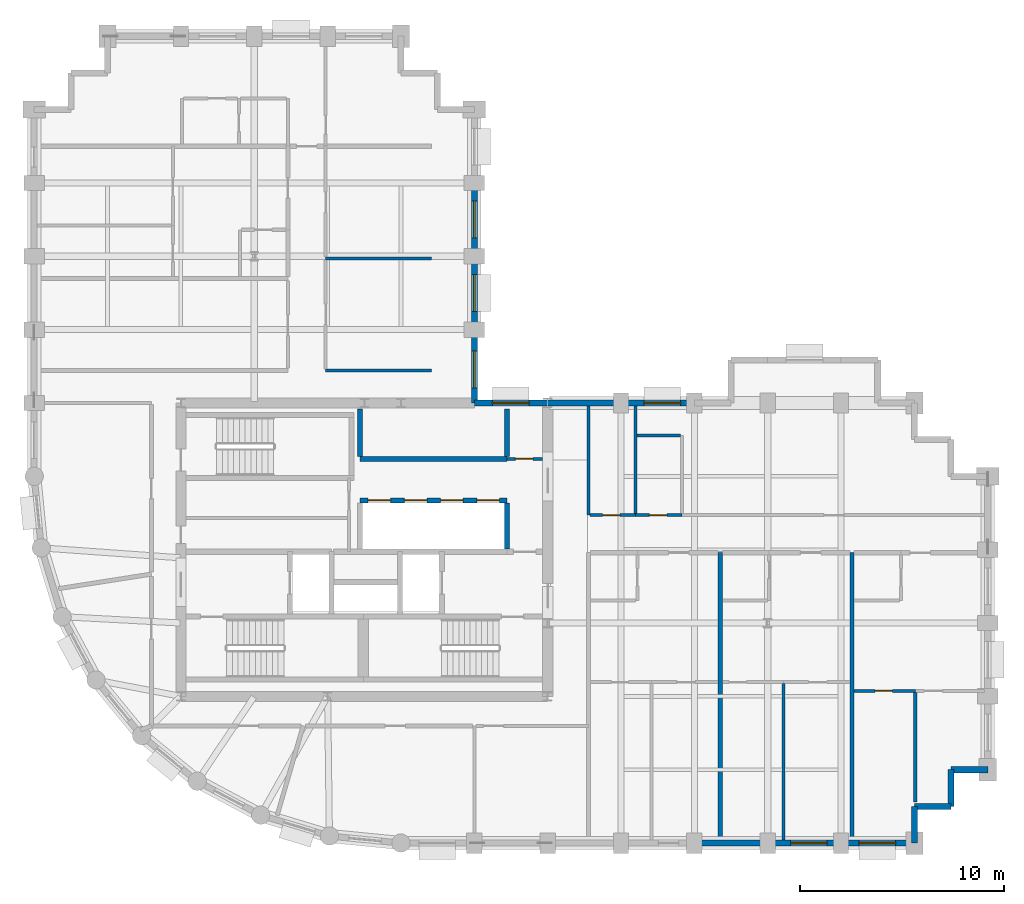
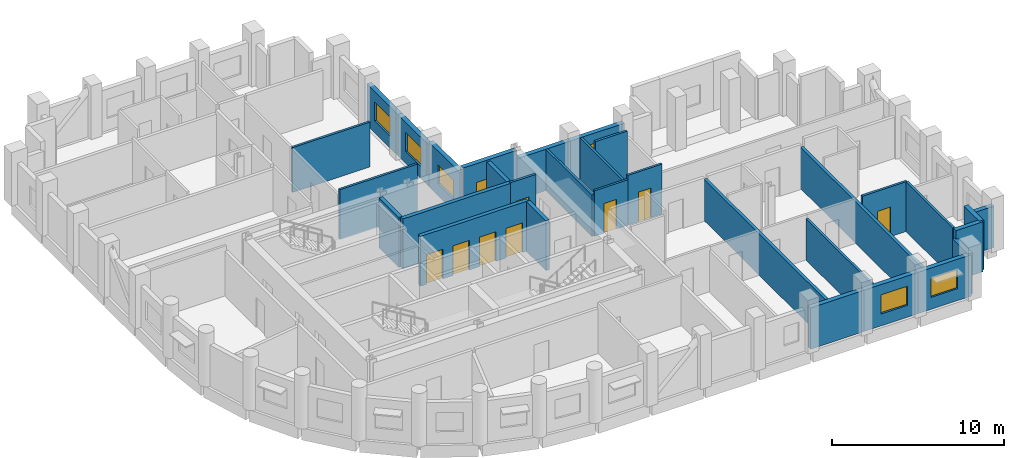
# One storey, part 5 of 9: 31 walls, 8 doors, 7 windows, 15 openings.
"""IFC4 building model written with IfcOpenShell, lengths in metres."""

import ifcopenshell
import ifcopenshell.guid

model = None  # the IFC model being written
_history = None  # IfcOwnerHistory: only IFC2X3 demands one
_inside = {}  # id of a spatial element -> (the spatial element, [elements in it])
_under = {}  # id of a project, library or spatial element -> (it, [spatial elements below it])
_declared = {}  # id of a project -> (the project, [libraries it declares])
_typed = {}  # id of a type object -> (the type object, [elements of that type])
_made_of = {}  # id of a material, layer set ... -> (it, [elements and type objects made of it])


def new_model(schema):
    """Start an empty IFC model of exactly this schema.

    Asked for "IFC4X3", IfcOpenShell would pick the latest addendum, in which some entities
    have other attributes; the version numbers below select the first issue.
    IFC2X3 requires an IfcOwnerHistory on every rooted entity: one is made here for all.
    """
    global model, _history
    if schema == "IFC4X3":
        model = ifcopenshell.file(schema_version=(4, 3, 0, 0))
    else:
        model = ifcopenshell.file(schema=schema)
    _inside.clear()
    _under.clear()
    _declared.clear()
    _typed.clear()
    _made_of.clear()
    _history = None
    if model.schema == "IFC2X3":
        org = make("IfcOrganization", Name="unknown")
        user = make(
            "IfcPersonAndOrganization",
            ThePerson=make("IfcPerson", FamilyName="unknown"),
            TheOrganization=org,
        )
        app = make(
            "IfcApplication",
            ApplicationDeveloper=org,
            Version="unknown",
            ApplicationFullName="unknown",
            ApplicationIdentifier="unknown",
        )
        _history = make(
            "IfcOwnerHistory",
            OwningUser=user,
            OwningApplication=app,
            ChangeAction="ADDED",
            CreationDate=0,
        )
    return model


def make(cls, **values):
    """One entity of the class cls with the attributes given. An attribute that is None is left unset."""
    return model.create_entity(
        cls, **{name: value for name, value in values.items() if value is not None}
    )


def rooted(cls, **values):
    """An entity with a GlobalId (a new one), such as an element, a storey or a relation."""
    return make(cls, GlobalId=ifcopenshell.guid.new(), OwnerHistory=_history, **values)


def si_unit(unit_type, name, prefix=None):
    """IfcSIUnit, for example si_unit("LENGTHUNIT", "METRE", prefix="MILLI")."""
    return make("IfcSIUnit", UnitType=unit_type, Prefix=prefix, Name=name)


def assignment(units):
    """IfcUnitAssignment: the units of a project."""
    return None if units is None else make("IfcUnitAssignment", Units=units)


def point(xyz):
    """IfcCartesianPoint."""
    return None if xyz is None else make("IfcCartesianPoint", Coordinates=xyz)


def direction(xyz):
    """IfcDirection."""
    return None if xyz is None else make("IfcDirection", DirectionRatios=xyz)


def frame(location, z_axis=None, x_axis=None):
    """IfcAxis2Placement3D, a coordinate frame: its origin and axes. An axis left out is left unset."""
    return make(
        "IfcAxis2Placement3D",
        Location=point(location),
        Axis=direction(z_axis),
        RefDirection=direction(x_axis),
    )


def frame_2d(location, x_axis=None):
    """IfcAxis2Placement2D, a coordinate frame in the plane: its origin and x axis."""
    return make(
        "IfcAxis2Placement2D", Location=point(location), RefDirection=direction(x_axis)
    )


def origin():
    """The frame at (0, 0, 0) with its axes left unset."""
    return frame((0.0, 0.0, 0.0))


def place(relative_to, where):
    """IfcLocalPlacement: puts the frame where relative to a parent placement (None: the world)."""
    return make(
        "IfcLocalPlacement", PlacementRelTo=relative_to, RelativePlacement=where
    )


def context(
    kind, dimensions, precision=None, world=None, true_north=None, identifier=None
):
    """IfcGeometricRepresentationContext, for example the 3D "Model" context."""
    return make(
        "IfcGeometricRepresentationContext",
        ContextIdentifier=identifier,
        ContextType=kind,
        CoordinateSpaceDimension=dimensions,
        Precision=precision,
        WorldCoordinateSystem=world,
        TrueNorth=true_north,
    )


def subcontext(parent, identifier, kind, view, scale=None):
    """IfcGeometricRepresentationSubContext, for example "Body" below "Model"."""
    return make(
        "IfcGeometricRepresentationSubContext",
        ContextIdentifier=identifier,
        ContextType=kind,
        ParentContext=parent,
        TargetScale=scale,
        TargetView=view,
    )


def project(units=None, contexts=None):
    """IfcProject with its units and contexts."""
    return rooted(
        "IfcProject",
        Name="project",
        RepresentationContexts=contexts,
        UnitsInContext=assignment(units),
    )


def spatial(cls, under=None, at=None, **own):
    """A site, building, storey or space (cls), placed at a placement, below another one or the project."""
    s = rooted(cls, ObjectPlacement=at, **own)
    if under is not None:
        _under.setdefault(under.id(), (under, []))[1].append(s)
    return s


def profile(cls, at=None, kind="AREA", **sizes):
    """A parametric profile (cls). Its sizes go by their IFC names, for example OverallWidth=200.0."""
    return make(cls, ProfileType=kind, Position=at, **sizes)


def rectangle(**sizes):
    """IfcRectangleProfileDef."""
    return profile("IfcRectangleProfileDef", **sizes)


def extrude(swept, where, along, depth):
    """IfcExtrudedAreaSolid: the profile swept, set in the frame where, extruded along a direction by depth."""
    return make(
        "IfcExtrudedAreaSolid",
        SweptArea=swept,
        Position=where,
        ExtrudedDirection=direction(along),
        Depth=depth,
    )


def shape(context_of_items, identifier, shape_type, items):
    """IfcShapeRepresentation: the items that make up one representation, for example the "Body"."""
    return make(
        "IfcShapeRepresentation",
        ContextOfItems=context_of_items,
        RepresentationIdentifier=identifier,
        RepresentationType=shape_type,
        Items=items,
    )


def material(Name=None, Category=None):
    """IfcMaterial."""
    return make("IfcMaterial", Name=Name, Category=Category)


def layer(
    of_material, thickness, ventilated=None, Name=None, Category=None, Priority=None
):
    """IfcMaterialLayer: one layer of a wall or slab, of a material (None: an air gap)."""
    return make(
        "IfcMaterialLayer",
        Material=of_material,
        LayerThickness=thickness,
        IsVentilated=ventilated,
        Name=Name,
        Category=Category,
        Priority=Priority,
    )


def layer_set(layers, Name=None):
    """IfcMaterialLayerSet."""
    return make("IfcMaterialLayerSet", MaterialLayers=layers, LayerSetName=Name)


def made_of(thing, what):
    """Note that an element or type object is made of a material, layer set ...; save() writes the relation."""
    if what is not None:
        _made_of.setdefault(what.id(), (what, []))[1].append(thing)
    return thing


def type_object(cls, material=None, **own):
    """A type object (cls), such as IfcWallType, which elements share."""
    return made_of(rooted(cls, **own), material)


def element(
    cls,
    number,
    at=None,
    inside=None,
    cuts=None,
    type_object=None,
    material=None,
    context=None,
    identifier="Body",
    shape_type=None,
    held_by="IfcProductDefinitionShape",
    body=None,
    shapes=None,
    **own,
):
    """One element of the class cls, such as IfcWall. Its Tag is "e" and its number.

    at: its placement. inside: the storey or other place that contains it. cuts: it is an
    opening in that element (IfcRelVoidsElement). A single representation is given by context,
    identifier, shape_type and body (its items); several are given by shapes. held_by: the class
    of the entity that holds the representations. save() writes the other relations.
    """
    e = rooted(cls, Tag="e%d" % number, ObjectPlacement=at, **own)
    if body is not None:
        shapes = [shape(context, identifier, shape_type, body)]
    if shapes is not None:
        e.Representation = make(held_by, Representations=shapes)
    if inside is not None:
        _inside.setdefault(inside.id(), (inside, []))[1].append(e)
    if cuts is not None:
        rooted(
            "IfcRelVoidsElement", RelatingBuildingElement=cuts, RelatedOpeningElement=e
        )
    if type_object is not None:
        _typed.setdefault(type_object.id(), (type_object, []))[1].append(e)
    return made_of(e, material)


def fill(opening, filler):
    """IfcRelFillsElement: the door or window that sits in an opening."""
    return rooted(
        "IfcRelFillsElement",
        RelatingOpeningElement=opening,
        RelatedBuildingElement=filler,
    )


def aggregate(whole, parts):
    """IfcRelAggregates: a whole, such as a stair, and the parts it consists of."""
    return rooted("IfcRelAggregates", RelatingObject=whole, RelatedObjects=parts)


def save(model, path):
    """Write the relations noted so far, then the file.

    IfcRelAggregates (storeys below a building ...), IfcRelContainedInSpatialStructure (elements
    in a storey), IfcRelDefinesByType, IfcRelAssociatesMaterial and IfcRelDeclares: one each for
    every whole, place, type object, material and project.
    """
    for whole, parts in _under.values():
        aggregate(whole, parts)
    for where, things in _inside.values():
        rooted(
            "IfcRelContainedInSpatialStructure",
            RelatedElements=things,
            RelatingStructure=where,
        )
    for kind, things in _typed.values():
        rooted("IfcRelDefinesByType", RelatedObjects=things, RelatingType=kind)
    for what, things in _made_of.values():
        rooted("IfcRelAssociatesMaterial", RelatedObjects=things, RelatingMaterial=what)
    for by, libraries in _declared.values():
        rooted("IfcRelDeclares", RelatingContext=by, RelatedDefinitions=libraries)
    model.write(path)


model = new_model("IFC4")

# Units and contexts
model_context = context("Model", 3, precision=1e-05, world=origin(), true_north=direction((0.0, 1.0)))
body_context = subcontext(model_context, "Body", "Model", "MODEL_VIEW")
ifc_project = project(units=[si_unit("LENGTHUNIT", "METRE"), si_unit("AREAUNIT", "SQUARE_METRE"), si_unit("VOLUMEUNIT", "CUBIC_METRE"), si_unit("PLANEANGLEUNIT", "RADIAN"), si_unit("MASSUNIT", "GRAM", prefix="KILO")], contexts=[model_context])

# Site, building, storey
site_placement = place(None, origin())
site = spatial("IfcSite", under=ifc_project, at=site_placement, CompositionType="ELEMENT")
building_placement = place(site_placement, origin())
building = spatial("IfcBuilding", under=site, at=building_placement, Name="Solnavia Interchange Tower", CompositionType="ELEMENT")
storey_placement = place(building_placement, frame((0.0, 0.0, 142.800048828125)))
storey = spatial("IfcBuildingStorey", under=building, at=storey_placement, Name="L35", CompositionType="ELEMENT", Elevation=142.800048828125)

# Walls
ifc_material_1 = material(Name="Gypsum Acoustic Twin-Stud & Mineral Wool", Category="gypsum")
ifc_layer_1 = layer(ifc_material_1, 0.199951171875)
ifc_layer_set_1 = layer_set([ifc_layer_1], Name="Gypsum Acoustic Twin-Stud & Mineral Wool")
wall_type_1 = type_object("IfcWallType", Name="Wall-ApartmentParty-200", PredefinedType="PARTITIONING", material=ifc_layer_set_1)
for number, where, z_axis, x_axis, name in (
    (1, (40.8701171875, 3.75390625, 0.0), (0.0, 0.0, 1.0), (0.0, 1.0, 0.0), "PTW-L35-18 Interior partition wall"),
    (2, (47.340087890625, 3.75390625, 0.0), (0.0, 0.0, 1.0), (0.0, 1.0, 0.0), "PTW-L35-26 Interior partition wall"),
):
    element("IfcWall", number, at=place(storey_placement, frame(where, z_axis=z_axis, x_axis=x_axis)), inside=storey, type_object=wall_type_1, Name=name, PredefinedType="PARTITIONING", context=body_context, shape_type="SweptSolid", body=[
        extrude(rectangle(XDim=14.09619140625, YDim=0.199951171875, at=frame_2d((7.048095703125, 0.0))), origin(), (0.0, 0.0, 1.0), 2.929931640625),
    ])
ifc_material_2 = material(Name="Concrete C40/50", Category="concrete")
ifc_layer_2 = layer(ifc_material_2, 0.300048828125)
ifc_layer_set_2 = layer_set([ifc_layer_2], Name="Concrete C40/50")
wall_type_2 = type_object("IfcWallType", Name="Wall-ExtSpandrel-300", PredefinedType="STANDARD", material=ifc_layer_set_2)
wall_1_placement = place(storey_placement, frame((43.199951171875, 3.60009765625, 0.0), z_axis=(0.0, 0.0, 1.0), x_axis=(-1.0, 0.0, 0.0)))
element("IfcWall", 3, at=wall_1_placement, inside=storey, type_object=wall_type_2, Name="EXW-L35-05 Exterior precast spandrel wall", PredefinedType="STANDARD", context=body_context, shape_type="SweptSolid", body=[
    extrude(rectangle(XDim=3.599853515625, YDim=0.300048828125, at=frame_2d((1.7998046875, 0.0))), origin(), (0.0, 0.0, 1.0), 2.929931640625),
])

# Wall, opening, window
wall_2_placement = place(storey_placement, frame((46.800048828125, 3.60009765625, 0.0), z_axis=(0.0, 0.0, 1.0), x_axis=(-1.0, 0.0, 0.0)))
wall_2 = element("IfcWall", 4, at=wall_2_placement, inside=storey, type_object=wall_type_2, Name="EXW-L35-06 Exterior precast spandrel wall", PredefinedType="STANDARD", context=body_context, shape_type="SweptSolid", body=[
    extrude(rectangle(XDim=3.60009765625, YDim=0.300048828125, at=frame_2d((1.800048828125, 0.0))), origin(), (0.0, 0.0, 1.0), 2.929931640625),
])
opening_1_placement = place(wall_2_placement, frame((0.679931640625, 0.0, 0.85009765625)))
opening_1 = element("IfcOpeningElement", 5, at=opening_1_placement, cuts=wall_2, Name="Opening WIN-02", PredefinedType="OPENING", context=body_context, shape_type="SweptSolid", body=[
    extrude(rectangle(XDim=1.800048828125, YDim=1.35009765625, at=frame_2d((0.89990234375, 0.675048828125))), frame((0.0, 0.16015625, 0.0), z_axis=(0.0, -1.0, 0.0), x_axis=(1.0, 0.0, 0.0)), (0.0, 0.0, 1.0), 0.320068359375),
])
ifc_material_3 = material(Name="Thermal-Break Aluminium & Low-E Glass", Category="aluminium")
window_type = type_object("IfcWindowType", Name="Window-Ribbon-1800x1350", PartitioningType="SINGLE_PANEL", PredefinedType="WINDOW", material=ifc_material_3)
window_1_placement = place(opening_1_placement, origin())
window_1 = element("IfcWindow", 6, at=window_1_placement, inside=storey, type_object=window_type, Name="WIN-L35-06 Facade ribbon window", OverallHeight=1.35009765625, OverallWidth=1.800048828125, PartitioningType="SINGLE_PANEL", PredefinedType="WINDOW", context=body_context, shape_type="SweptSolid", body=[
    extrude(rectangle(XDim=1.800048828125, YDim=1.35009765625, at=frame_2d((0.89990234375, 0.675048828125))), frame((0.0, 0.030029296875, 0.0), z_axis=(0.0, -1.0, 0.0), x_axis=(1.0, 0.0, 0.0)), (0.0, 0.0, 1.0), 0.06005859375),
])
fill(opening_1, window_1)

wall_3_placement = place(storey_placement, frame((50.39990234375, 3.60009765625, 0.0), z_axis=(0.0, 0.0, 1.0), x_axis=(-1.0, 0.0, 0.0)))
wall_3 = element("IfcWall", 7, at=wall_3_placement, inside=storey, type_object=wall_type_2, Name="EXW-L35-07 Exterior precast spandrel wall", PredefinedType="STANDARD", context=body_context, shape_type="SweptSolid", body=[
    extrude(rectangle(XDim=3.599853515625, YDim=0.300048828125, at=frame_2d((1.7998046875, 0.0))), origin(), (0.0, 0.0, 1.0), 2.929931640625),
])
opening_2_placement = place(wall_3_placement, frame((0.925048828125, 0.0, 0.85009765625)))
opening_2 = element("IfcOpeningElement", 8, at=opening_2_placement, cuts=wall_3, Name="Opening WIN-02", PredefinedType="OPENING", context=body_context, shape_type="SweptSolid", body=[
    extrude(rectangle(XDim=1.800048828125, YDim=1.35009765625, at=frame_2d((0.89990234375, 0.675048828125))), frame((0.0, 0.16015625, 0.0), z_axis=(0.0, -1.0, 0.0), x_axis=(1.0, 0.0, 0.0)), (0.0, 0.0, 1.0), 0.320068359375),
])
window_2_placement = place(opening_2_placement, origin())
window_2 = element("IfcWindow", 9, at=window_2_placement, inside=storey, type_object=window_type, Name="WIN-L35-07 Facade ribbon window", OverallHeight=1.35009765625, OverallWidth=1.800048828125, PartitioningType="SINGLE_PANEL", PredefinedType="WINDOW", context=body_context, shape_type="SweptSolid", body=[
    extrude(rectangle(XDim=1.800048828125, YDim=1.35009765625, at=frame_2d((0.89990234375, 0.675048828125))), frame((0.0, 0.030029296875, 0.0), z_axis=(0.0, -1.0, 0.0), x_axis=(1.0, 0.0, 0.0)), (0.0, 0.0, 1.0), 0.06005859375),
])
fill(opening_2, window_2)

# Walls
wall_4_placement = place(storey_placement, frame((50.39990234375, 5.39990234375, 0.0), z_axis=(0.0, 0.0, 1.0), x_axis=(0.0, -1.0, 0.0)))
element("IfcWall", 10, at=wall_4_placement, inside=storey, type_object=wall_type_2, Name="EXW-L35-08 Exterior precast spandrel wall", PredefinedType="STANDARD", context=body_context, shape_type="SweptSolid", body=[
    extrude(rectangle(XDim=1.7998046875, YDim=0.300048828125, at=frame_2d((0.89990234375, 0.0))), origin(), (0.0, 0.0, 1.0), 2.929931640625),
])
for number, where, z_axis, x_axis, name in (
    (11, (52.199951171875, 5.39990234375, 0.0), (0.0, 0.0, 1.0), (-1.0, 0.0, 0.0), "EXW-L35-09 Exterior precast spandrel wall"),
    (12, (52.199951171875, 7.199951171875, 0.0), (0.0, 0.0, 1.0), (0.0, -1.0, 0.0), "EXW-L35-10 Exterior precast spandrel wall"),
):
    element("IfcWall", number, at=place(storey_placement, frame(where, z_axis=z_axis, x_axis=x_axis)), inside=storey, type_object=wall_type_2, Name=name, PredefinedType="STANDARD", context=body_context, shape_type="SweptSolid", body=[
        extrude(rectangle(XDim=1.800048828125, YDim=0.300048828125, at=frame_2d((0.89990234375, 0.0))), origin(), (0.0, 0.0, 1.0), 3.534912109375),
    ])
wall_5_placement = place(storey_placement, frame((54.0, 7.199951171875, 0.0), z_axis=(0.0, 0.0, 1.0), x_axis=(-1.0, 0.0, 0.0)))
element("IfcWall", 13, at=wall_5_placement, inside=storey, type_object=wall_type_2, Name="EXW-L35-11 Exterior precast spandrel wall", PredefinedType="STANDARD", context=body_context, shape_type="SweptSolid", body=[
    extrude(rectangle(XDim=1.800048828125, YDim=0.300048828125, at=frame_2d((0.89990234375, 0.0))), origin(), (0.0, 0.0, 1.0), 2.929931640625),
])

# Wall, opening, window
wall_6_placement = place(storey_placement, frame((36.0, 25.199951171875, 0.0), z_axis=(0.0, 0.0, 1.0), x_axis=(1.0, 0.0, 0.0)))
wall_6 = element("IfcWall", 14, at=wall_6_placement, inside=storey, type_object=wall_type_2, Name="EXW-L35-27 Exterior precast spandrel wall", PredefinedType="STANDARD", context=body_context, shape_type="SweptSolid", body=[
    extrude(rectangle(XDim=3.60009765625, YDim=0.300048828125, at=frame_2d((1.800048828125, 0.0))), origin(), (0.0, 0.0, 1.0), 2.929931640625),
])
opening_3_placement = place(wall_6_placement, frame((1.1201171875, 0.0, 0.85009765625)))
opening_3 = element("IfcOpeningElement", 15, at=opening_3_placement, cuts=wall_6, Name="Opening WIN-02", PredefinedType="OPENING", context=body_context, shape_type="SweptSolid", body=[
    extrude(rectangle(XDim=1.800048828125, YDim=1.35009765625, at=frame_2d((0.89990234375, 0.675048828125))), frame((0.0, 0.16015625, 0.0), z_axis=(0.0, -1.0, 0.0), x_axis=(1.0, 0.0, 0.0)), (0.0, 0.0, 1.0), 0.320068359375),
])
window_3_placement = place(opening_3_placement, origin())
window_3 = element("IfcWindow", 16, at=window_3_placement, inside=storey, type_object=window_type, Name="WIN-L35-27 Facade ribbon window", OverallHeight=1.35009765625, OverallWidth=1.800048828125, PartitioningType="SINGLE_PANEL", PredefinedType="WINDOW", context=body_context, shape_type="SweptSolid", body=[
    extrude(rectangle(XDim=1.800048828125, YDim=1.35009765625, at=frame_2d((0.89990234375, 0.675048828125))), frame((0.0, 0.030029296875, 0.0), z_axis=(0.0, -1.0, 0.0), x_axis=(1.0, 0.0, 0.0)), (0.0, 0.0, 1.0), 0.06005859375),
])
fill(opening_3, window_3)

# Wall
wall_7_placement = place(storey_placement, frame((32.39990234375, 25.199951171875, 0.0), z_axis=(0.0, 0.0, 1.0), x_axis=(1.0, 0.0, 0.0)))
element("IfcWall", 17, at=wall_7_placement, inside=storey, type_object=wall_type_2, Name="EXW-L35-28 Exterior precast spandrel wall", PredefinedType="STANDARD", context=body_context, shape_type="SweptSolid", body=[
    extrude(rectangle(XDim=3.60009765625, YDim=0.300048828125, at=frame_2d((1.800048828125, 0.0))), origin(), (0.0, 0.0, 1.0), 2.929931640625),
])

# Wall, opening, window
wall_8_placement = place(storey_placement, frame((28.800048828125, 25.199951171875, 0.0), z_axis=(0.0, 0.0, 1.0), x_axis=(1.0, 0.0, 0.0)))
wall_8 = element("IfcWall", 18, at=wall_8_placement, inside=storey, type_object=wall_type_2, Name="EXW-L35-29 Exterior precast spandrel wall", PredefinedType="STANDARD", context=body_context, shape_type="SweptSolid", body=[
    extrude(rectangle(XDim=3.599853515625, YDim=0.300048828125, at=frame_2d((1.7998046875, 0.0))), origin(), (0.0, 0.0, 1.0), 3.534912109375),
])
opening_4_placement = place(wall_8_placement, frame((0.884033203125, 0.0, 0.85009765625)))
opening_4 = element("IfcOpeningElement", 19, at=opening_4_placement, cuts=wall_8, Name="Opening WIN-02", PredefinedType="OPENING", context=body_context, shape_type="SweptSolid", body=[
    extrude(rectangle(XDim=1.800048828125, YDim=1.35009765625, at=frame_2d((0.89990234375, 0.675048828125))), frame((0.0, 0.16015625, 0.0), z_axis=(0.0, -1.0, 0.0), x_axis=(1.0, 0.0, 0.0)), (0.0, 0.0, 1.0), 0.320068359375),
])
window_4_placement = place(opening_4_placement, origin())
window_4 = element("IfcWindow", 20, at=window_4_placement, inside=storey, type_object=window_type, Name="WIN-L35-29 Facade ribbon window", OverallHeight=1.35009765625, OverallWidth=1.800048828125, PartitioningType="SINGLE_PANEL", PredefinedType="WINDOW", context=body_context, shape_type="SweptSolid", body=[
    extrude(rectangle(XDim=1.800048828125, YDim=1.35009765625, at=frame_2d((0.89990234375, 0.675048828125))), frame((0.0, 0.030029296875, 0.0), z_axis=(0.0, -1.0, 0.0), x_axis=(1.0, 0.0, 0.0)), (0.0, 0.0, 1.0), 0.06005859375),
])
fill(opening_4, window_4)

wall_9_placement = place(storey_placement, frame((28.800048828125, 28.800048828125, 0.0), z_axis=(0.0, 0.0, 1.0), x_axis=(0.0, -1.0, 0.0)))
wall_9 = element("IfcWall", 21, at=wall_9_placement, inside=storey, type_object=wall_type_2, Name="EXW-L35-30 Exterior precast spandrel wall", PredefinedType="STANDARD", context=body_context, shape_type="SweptSolid", body=[
    extrude(rectangle(XDim=3.60009765625, YDim=0.300048828125, at=frame_2d((1.800048828125, 0.0))), origin(), (0.0, 0.0, 1.0), 3.169921875),
])
opening_5_placement = place(wall_9_placement, frame((1.054931640625, 0.0, 0.85009765625)))
opening_5 = element("IfcOpeningElement", 22, at=opening_5_placement, cuts=wall_9, Name="Opening WIN-02", PredefinedType="OPENING", context=body_context, shape_type="SweptSolid", body=[
    extrude(rectangle(XDim=1.800048828125, YDim=1.35009765625, at=frame_2d((0.89990234375, 0.675048828125))), frame((0.0, 0.16015625, 0.0), z_axis=(0.0, -1.0, 0.0), x_axis=(1.0, 0.0, 0.0)), (0.0, 0.0, 1.0), 0.320068359375),
])
window_5_placement = place(opening_5_placement, origin())
window_5 = element("IfcWindow", 23, at=window_5_placement, inside=storey, type_object=window_type, Name="WIN-L35-30 Facade ribbon window", OverallHeight=1.35009765625, OverallWidth=1.800048828125, PartitioningType="SINGLE_PANEL", PredefinedType="WINDOW", context=body_context, shape_type="SweptSolid", body=[
    extrude(rectangle(XDim=1.800048828125, YDim=1.35009765625, at=frame_2d((0.89990234375, 0.675048828125))), frame((0.0, 0.030029296875, 0.0), z_axis=(0.0, -1.0, 0.0), x_axis=(1.0, 0.0, 0.0)), (0.0, 0.0, 1.0), 0.06005859375),
])
fill(opening_5, window_5)

wall_10_placement = place(storey_placement, frame((28.800048828125, 32.39990234375, 0.0), z_axis=(0.0, 0.0, 1.0), x_axis=(0.0, -1.0, 0.0)))
wall_10 = element("IfcWall", 24, at=wall_10_placement, inside=storey, type_object=wall_type_2, Name="EXW-L35-31 Exterior precast spandrel wall", PredefinedType="STANDARD", context=body_context, shape_type="SweptSolid", body=[
    extrude(rectangle(XDim=3.599853515625, YDim=0.300048828125, at=frame_2d((1.7998046875, 0.0))), origin(), (0.0, 0.0, 1.0), 2.929931640625),
])
opening_6_placement = place(wall_10_placement, frame((0.89990234375, 0.0, 0.85009765625)))
opening_6 = element("IfcOpeningElement", 25, at=opening_6_placement, cuts=wall_10, Name="Opening WIN-02", PredefinedType="OPENING", context=body_context, shape_type="SweptSolid", body=[
    extrude(rectangle(XDim=1.800048828125, YDim=1.35009765625, at=frame_2d((0.89990234375, 0.675048828125))), frame((0.0, 0.16015625, 0.0), z_axis=(0.0, -1.0, 0.0), x_axis=(1.0, 0.0, 0.0)), (0.0, 0.0, 1.0), 0.320068359375),
])
window_6_placement = place(opening_6_placement, origin())
window_6 = element("IfcWindow", 26, at=window_6_placement, inside=storey, type_object=window_type, Name="WIN-L35-31 Facade ribbon window", OverallHeight=1.35009765625, OverallWidth=1.800048828125, PartitioningType="SINGLE_PANEL", PredefinedType="WINDOW", context=body_context, shape_type="SweptSolid", body=[
    extrude(rectangle(XDim=1.800048828125, YDim=1.35009765625, at=frame_2d((0.89990234375, 0.675048828125))), frame((0.0, 0.030029296875, 0.0), z_axis=(0.0, -1.0, 0.0), x_axis=(1.0, 0.0, 0.0)), (0.0, 0.0, 1.0), 0.06005859375),
])
fill(opening_6, window_6)

wall_11_placement = place(storey_placement, frame((28.800048828125, 36.0, 0.0), z_axis=(0.0, 0.0, 1.0), x_axis=(0.0, -1.0, 0.0)))
wall_11 = element("IfcWall", 27, at=wall_11_placement, inside=storey, type_object=wall_type_2, Name="EXW-L35-32 Exterior precast spandrel wall", PredefinedType="STANDARD", context=body_context, shape_type="SweptSolid", body=[
    extrude(rectangle(XDim=3.60009765625, YDim=0.300048828125, at=frame_2d((1.800048828125, 0.0))), origin(), (0.0, 0.0, 1.0), 2.929931640625),
])
opening_7_placement = place(wall_11_placement, frame((0.89990234375, 0.0, 0.85009765625)))
opening_7 = element("IfcOpeningElement", 28, at=opening_7_placement, cuts=wall_11, Name="Opening WIN-02", PredefinedType="OPENING", context=body_context, shape_type="SweptSolid", body=[
    extrude(rectangle(XDim=1.800048828125, YDim=1.35009765625, at=frame_2d((0.89990234375, 0.675048828125))), frame((0.0, 0.16015625, 0.0), z_axis=(0.0, -1.0, 0.0), x_axis=(1.0, 0.0, 0.0)), (0.0, 0.0, 1.0), 0.320068359375),
])
window_7_placement = place(opening_7_placement, origin())
window_7 = element("IfcWindow", 29, at=window_7_placement, inside=storey, type_object=window_type, Name="WIN-L35-32 Facade ribbon window", OverallHeight=1.35009765625, OverallWidth=1.800048828125, PartitioningType="SINGLE_PANEL", PredefinedType="WINDOW", context=body_context, shape_type="SweptSolid", body=[
    extrude(rectangle(XDim=1.800048828125, YDim=1.35009765625, at=frame_2d((0.89990234375, 0.675048828125))), frame((0.0, 0.030029296875, 0.0), z_axis=(0.0, -1.0, 0.0), x_axis=(1.0, 0.0, 0.0)), (0.0, 0.0, 1.0), 0.06005859375),
])
fill(opening_7, window_7)

# Wall, opening, door
ifc_material_4 = material(Name="Gypsum Plasterboard & Steel Stud", Category="steel")
ifc_layer_3 = layer(ifc_material_4, 0.14990234375)
ifc_layer_set_3 = layer_set([ifc_layer_3], Name="Gypsum Plasterboard & Steel Stud")
wall_type_3 = type_object("IfcWallType", Name="Wall-Partition-150", PredefinedType="PARTITIONING", material=ifc_layer_set_3)
wall_12_placement = place(storey_placement, frame((30.39990234375, 22.4599609375, 0.0), z_axis=(0.0, 0.0, 1.0), x_axis=(1.0, 0.0, 0.0)))
wall_12 = element("IfcWall", 30, at=wall_12_placement, inside=storey, type_object=wall_type_3, Name="CSW-L35-NE-S Core shaft wall", PredefinedType="PARTITIONING", context=body_context, shape_type="SweptSolid", body=[
    extrude(rectangle(XDim=1.75, YDim=0.14990234375, at=frame_2d((0.875, 0.0))), origin(), (0.0, 0.0, 1.0), 3.534912109375),
])
opening_8_placement = place(wall_12_placement, frame((0.419921875, 0.0, 0.0)))
opening_8 = element("IfcOpeningElement", 31, at=opening_8_placement, cuts=wall_12, Name="Opening DR-10", PredefinedType="OPENING", context=body_context, shape_type="SweptSolid", body=[
    extrude(rectangle(XDim=0.85009765625, YDim=2.10009765625, at=frame_2d((0.425048828125, 1.050048828125))), frame((0.0, 0.0849609375, 0.0), z_axis=(0.0, -1.0, 0.0), x_axis=(1.0, 0.0, 0.0)), (0.0, 0.0, 1.0), 0.169921875),
])
ifc_material_5 = material(Name="Moisture-Resistant Timber Door", Category="wood")
door_type_1 = type_object("IfcDoorType", Name="Door-Bathroom-850x2100", OperationType="SINGLE_SWING_RIGHT", PredefinedType="DOOR", material=ifc_material_5)
door_1_placement = place(opening_8_placement, origin())
door_1 = element("IfcDoor", 32, at=door_1_placement, inside=storey, type_object=door_type_1, Name="DR-L35-CS3 Core fire door", OperationType="SINGLE_SWING_RIGHT", OverallHeight=2.10009765625, OverallWidth=0.85009765625, PredefinedType="DOOR", context=body_context, shape_type="SweptSolid", body=[
    extrude(rectangle(XDim=0.85009765625, YDim=2.10009765625, at=frame_2d((0.425048828125, 1.050048828125))), frame((0.0, 0.02490234375, 0.0), z_axis=(0.0, -1.0, 0.0), x_axis=(1.0, 0.0, 0.0)), (0.0, 0.0, 1.0), 0.050048828125),
])
fill(opening_8, door_1)

# Walls
wall_13_placement = place(storey_placement, frame((21.5, 26.800048828125, 0.0), z_axis=(0.0, 0.0, 1.0), x_axis=(1.0, 0.0, 0.0)))
element("IfcWall", 33, at=wall_13_placement, inside=storey, type_object=wall_type_3, Name="PTW-L35-52 Interior partition wall", PredefinedType="PARTITIONING", context=body_context, shape_type="SweptSolid", body=[
    extrude(rectangle(XDim=5.199951171875, YDim=0.14990234375, at=frame_2d((2.60009765625, 0.0))), origin(), (0.0, 0.0, 1.0), 3.534912109375),
])
wall_14_placement = place(storey_placement, frame((21.5, 32.300048828125, 0.0), z_axis=(0.0, 0.0, 1.0), x_axis=(1.0, 0.0, 0.0)))
element("IfcWall", 34, at=wall_14_placement, inside=storey, type_object=wall_type_3, Name="PTW-L35-53 Interior partition wall", PredefinedType="PARTITIONING", context=body_context, shape_type="SweptSolid", body=[
    extrude(rectangle(XDim=5.199951171875, YDim=0.14990234375, at=frame_2d((2.60009765625, 0.0))), origin(), (0.0, 0.0, 1.0), 3.179931640625),
])

# Wall, openings, doors
ifc_layer_4 = layer(ifc_material_2, 0.25)
ifc_layer_set_4 = layer_set([ifc_layer_4], Name="Concrete C40/50")
wall_type_4 = type_object("IfcWallType", Name="Wall-ShaftPart-250", PredefinedType="PARTITIONING", material=ifc_layer_set_4)
wall_15_placement = place(storey_placement, frame((23.179931640625, 20.419921875, 0.0), z_axis=(0.0, 0.0, 1.0), x_axis=(1.0, 0.0, 0.0)))
wall_15 = element("IfcWall", 35, at=wall_15_placement, inside=storey, type_object=wall_type_4, Name="SHW-L35-B2N Core shaft wall", PredefinedType="PARTITIONING", context=body_context, shape_type="SweptSolid", body=[
    extrude(rectangle(XDim=7.219970703125, YDim=0.25, at=frame_2d((3.60986328125, 0.0))), origin(), (0.0, 0.0, 1.0), 3.534912109375),
])
opening_9_placement = place(wall_15_placement, frame((0.409912109375, 0.0, 0.0)))
opening_9 = element("IfcOpeningElement", 36, at=opening_9_placement, cuts=wall_15, Name="Opening LD-01", PredefinedType="OPENING", context=body_context, shape_type="SweptSolid", body=[
    extrude(rectangle(XDim=1.10009765625, YDim=2.10009765625, at=frame_2d((0.550048828125, 1.050048828125))), frame((0.0, 0.135009765625, 0.0), z_axis=(0.0, -1.0, 0.0), x_axis=(1.0, 0.0, 0.0)), (0.0, 0.0, 1.0), 0.27001953125),
])
opening_10_placement = place(wall_15_placement, frame((2.18994140625, 0.0, 0.0)))
opening_10 = element("IfcOpeningElement", 37, at=opening_10_placement, cuts=wall_15, Name="Opening LD-01", PredefinedType="OPENING", context=body_context, shape_type="SweptSolid", body=[
    extrude(rectangle(XDim=1.10009765625, YDim=2.10009765625, at=frame_2d((0.550048828125, 1.050048828125))), frame((0.0, 0.135009765625, 0.0), z_axis=(0.0, -1.0, 0.0), x_axis=(1.0, 0.0, 0.0)), (0.0, 0.0, 1.0), 0.27001953125),
])
opening_11_placement = place(wall_15_placement, frame((3.969970703125, 0.0, 0.0)))
opening_11 = element("IfcOpeningElement", 38, at=opening_11_placement, cuts=wall_15, Name="Opening LD-01", PredefinedType="OPENING", context=body_context, shape_type="SweptSolid", body=[
    extrude(rectangle(XDim=1.10009765625, YDim=2.10009765625, at=frame_2d((0.550048828125, 1.050048828125))), frame((0.0, 0.135009765625, 0.0), z_axis=(0.0, -1.0, 0.0), x_axis=(1.0, 0.0, 0.0)), (0.0, 0.0, 1.0), 0.27001953125),
])
opening_12_placement = place(wall_15_placement, frame((5.75, 0.0, 0.0)))
opening_12 = element("IfcOpeningElement", 39, at=opening_12_placement, cuts=wall_15, Name="Opening LD-01", PredefinedType="OPENING", context=body_context, shape_type="SweptSolid", body=[
    extrude(rectangle(XDim=1.10009765625, YDim=2.10009765625, at=frame_2d((0.550048828125, 1.050048828125))), frame((0.0, 0.135009765625, 0.0), z_axis=(0.0, -1.0, 0.0), x_axis=(1.0, 0.0, 0.0)), (0.0, 0.0, 1.0), 0.27001953125),
])
ifc_material_6 = material(Name="Brushed Stainless Steel Sliding Door", Category="steel")
door_type_2 = type_object("IfcDoorType", Name="Door-LiftLanding-1100x2100", OperationType="SLIDING_TO_LEFT", PredefinedType="DOOR", material=ifc_material_6)
door_2_placement = place(opening_9_placement, origin())
door_2 = element("IfcDoor", 40, at=door_2_placement, inside=storey, type_object=door_type_2, Name="LD-L35-B2-1 Lift landing sliding door", OperationType="SLIDING_TO_LEFT", OverallHeight=2.10009765625, OverallWidth=1.10009765625, PredefinedType="DOOR", context=body_context, shape_type="SweptSolid", body=[
    extrude(rectangle(XDim=1.10009765625, YDim=2.10009765625, at=frame_2d((0.550048828125, 1.050048828125))), frame((0.0, 0.02490234375, 0.0), z_axis=(0.0, -1.0, 0.0), x_axis=(1.0, 0.0, 0.0)), (0.0, 0.0, 1.0), 0.050048828125),
])
fill(opening_9, door_2)
door_3_placement = place(opening_10_placement, origin())
door_3 = element("IfcDoor", 41, at=door_3_placement, inside=storey, type_object=door_type_2, Name="LD-L35-B2-2 Lift landing sliding door", OperationType="SLIDING_TO_LEFT", OverallHeight=2.10009765625, OverallWidth=1.10009765625, PredefinedType="DOOR", context=body_context, shape_type="SweptSolid", body=[
    extrude(rectangle(XDim=1.10009765625, YDim=2.10009765625, at=frame_2d((0.550048828125, 1.050048828125))), frame((0.0, 0.02490234375, 0.0), z_axis=(0.0, -1.0, 0.0), x_axis=(1.0, 0.0, 0.0)), (0.0, 0.0, 1.0), 0.050048828125),
])
fill(opening_10, door_3)
door_4_placement = place(opening_11_placement, origin())
door_4 = element("IfcDoor", 42, at=door_4_placement, inside=storey, type_object=door_type_2, Name="LD-L35-B2-3 Lift landing sliding door", OperationType="SLIDING_TO_LEFT", OverallHeight=2.10009765625, OverallWidth=1.10009765625, PredefinedType="DOOR", context=body_context, shape_type="SweptSolid", body=[
    extrude(rectangle(XDim=1.10009765625, YDim=2.10009765625, at=frame_2d((0.550048828125, 1.050048828125))), frame((0.0, 0.02490234375, 0.0), z_axis=(0.0, -1.0, 0.0), x_axis=(1.0, 0.0, 0.0)), (0.0, 0.0, 1.0), 0.050048828125),
])
fill(opening_11, door_4)
door_5_placement = place(opening_12_placement, origin())
door_5 = element("IfcDoor", 43, at=door_5_placement, inside=storey, type_object=door_type_2, Name="LD-L35-B2-4 Lift landing sliding door", OperationType="SLIDING_TO_LEFT", OverallHeight=2.10009765625, OverallWidth=1.10009765625, PredefinedType="DOOR", context=body_context, shape_type="SweptSolid", body=[
    extrude(rectangle(XDim=1.10009765625, YDim=2.10009765625, at=frame_2d((0.550048828125, 1.050048828125))), frame((0.0, 0.02490234375, 0.0), z_axis=(0.0, -1.0, 0.0), x_axis=(1.0, 0.0, 0.0)), (0.0, 0.0, 1.0), 0.050048828125),
])
fill(opening_12, door_5)

# Walls
wall_16_placement = place(storey_placement, frame((30.39990234375, 18.02490234375, 0.0), z_axis=(0.0, 0.0, 1.0), x_axis=(0.0, 1.0, 0.0)))
element("IfcWall", 44, at=wall_16_placement, inside=storey, type_object=wall_type_4, Name="SHW-L35-B2E Core shaft wall", PredefinedType="PARTITIONING", context=body_context, shape_type="SweptSolid", body=[
    extrude(rectangle(XDim=2.27001953125, YDim=0.25, at=frame_2d((1.135009765625, 0.0))), origin(), (0.0, 0.0, 1.0), 3.534912109375),
])
wall_17_placement = place(storey_placement, frame((23.179931640625, 22.4599609375, 0.0), z_axis=(0.0, 0.0, 1.0), x_axis=(1.0, 0.0, 0.0)))
element("IfcWall", 45, at=wall_17_placement, inside=storey, type_object=wall_type_4, Name="SHW-L35-B3S Core shaft wall", PredefinedType="PARTITIONING", context=body_context, shape_type="SweptSolid", body=[
    extrude(rectangle(XDim=7.219970703125, YDim=0.25, at=frame_2d((3.60986328125, 0.0))), origin(), (0.0, 0.0, 1.0), 3.534912109375),
])
for number, where, z_axis, x_axis, name in (
    (46, (23.179931640625, 22.5849609375, 0.0), (0.0, 0.0, 1.0), (0.0, 1.0, 0.0), "SHW-L35-B3W Core shaft wall"),
    (47, (30.39990234375, 22.5849609375, 0.0), (0.0, 0.0, 1.0), (0.0, 1.0, 0.0), "SHW-L35-B3E Core shaft wall"),
):
    element("IfcWall", number, at=place(storey_placement, frame(where, z_axis=z_axis, x_axis=x_axis)), inside=storey, type_object=wall_type_4, Name=name, PredefinedType="PARTITIONING", context=body_context, shape_type="SweptSolid", body=[
        extrude(rectangle(XDim=2.31494140625, YDim=0.25, at=frame_2d((1.157470703125, 0.0))), origin(), (0.0, 0.0, 1.0), 3.534912109375),
    ])
ifc_material_7 = material(Name="Moisture-Resistant Gypsum & Steel Stud", Category="steel")
ifc_layer_5 = layer(ifc_material_7, 0.14990234375)
ifc_layer_set_5 = layer_set([ifc_layer_5], Name="Moisture-Resistant Gypsum & Steel Stud")
wall_type_5 = type_object("IfcWallType", Name="Wall-WetRoom-150", PredefinedType="PARTITIONING", material=ifc_layer_set_5)
wall_18_placement = place(storey_placement, frame((34.39990234375, 19.699951171875, 0.0), z_axis=(0.0, 0.0, 1.0), x_axis=(0.0, 1.0, 0.0)))
element("IfcWall", 48, at=wall_18_placement, inside=storey, type_object=wall_type_5, Name="PTW-L35-01 Interior partition wall", PredefinedType="PARTITIONING", context=body_context, shape_type="SweptSolid", body=[
    extrude(rectangle(XDim=5.345947265625, YDim=0.14990234375, at=frame_2d((2.6728515625, 0.0))), origin(), (0.0, 0.0, 1.0), 2.929931640625),
])

# Wall, opening, door
wall_19_placement = place(storey_placement, frame((34.47900390625, 19.699951171875, 0.0), z_axis=(0.0, 0.0, 1.0), x_axis=(1.0, 0.0, 0.0)))
wall_19 = element("IfcWall", 49, at=wall_19_placement, inside=storey, type_object=wall_type_5, Name="PTW-L35-02 Interior partition wall", PredefinedType="PARTITIONING", context=body_context, shape_type="SweptSolid", body=[
    extrude(rectangle(XDim=2.220947265625, YDim=0.14990234375, at=frame_2d((1.1103515625, 0.0))), origin(), (0.0, 0.0, 1.0), 3.219970703125),
])
opening_13_placement = place(wall_19_placement, frame((0.617919921875, 0.0, 0.0)))
opening_13 = element("IfcOpeningElement", 50, at=opening_13_placement, cuts=wall_19, Name="Opening DR-10", PredefinedType="OPENING", context=body_context, shape_type="SweptSolid", body=[
    extrude(rectangle(XDim=0.85009765625, YDim=2.10009765625, at=frame_2d((0.425048828125, 1.050048828125))), frame((0.0, 0.0849609375, 0.0), z_axis=(0.0, -1.0, 0.0), x_axis=(1.0, 0.0, 0.0)), (0.0, 0.0, 1.0), 0.169921875),
])
door_6_placement = place(opening_13_placement, origin())
door_6 = element("IfcDoor", 51, at=door_6_placement, inside=storey, type_object=door_type_1, Name="DR-L35-01 Interior room door", OperationType="SINGLE_SWING_LEFT", OverallHeight=2.10009765625, OverallWidth=0.85009765625, PredefinedType="DOOR", context=body_context, shape_type="SweptSolid", body=[
    extrude(rectangle(XDim=0.85009765625, YDim=2.10009765625, at=frame_2d((0.425048828125, 1.050048828125))), frame((0.0, 0.02490234375, 0.0), z_axis=(0.0, -1.0, 0.0), x_axis=(1.0, 0.0, 0.0)), (0.0, 0.0, 1.0), 0.050048828125),
])
fill(opening_13, door_6)

# Wall
wall_20_placement = place(storey_placement, frame((36.699951171875, 19.779052734375, 0.0), z_axis=(0.0, 0.0, 1.0), x_axis=(0.0, 1.0, 0.0)))
element("IfcWall", 52, at=wall_20_placement, inside=storey, type_object=wall_type_5, Name="PTW-L35-03 Interior partition wall", PredefinedType="PARTITIONING", context=body_context, shape_type="SweptSolid", body=[
    extrude(rectangle(XDim=5.266845703125, YDim=0.14990234375, at=frame_2d((2.63330078125, 0.0))), origin(), (0.0, 0.0, 1.0), 2.929931640625),
])

# Wall, opening, door
wall_21_placement = place(storey_placement, frame((36.699951171875, 19.699951171875, 0.0), z_axis=(0.0, 0.0, 1.0), x_axis=(1.0, 0.0, 0.0)))
wall_21 = element("IfcWall", 53, at=wall_21_placement, inside=storey, type_object=wall_type_5, Name="PTW-L35-04 Interior partition wall", PredefinedType="PARTITIONING", context=body_context, shape_type="SweptSolid", body=[
    extrude(rectangle(XDim=2.300048828125, YDim=0.14990234375, at=frame_2d((1.14990234375, 0.0))), origin(), (0.0, 0.0, 1.0), 3.534912109375),
])
opening_14_placement = place(wall_21_placement, frame((0.697021484375, 0.0, 0.0)))
opening_14 = element("IfcOpeningElement", 54, at=opening_14_placement, cuts=wall_21, Name="Opening DR-10", PredefinedType="OPENING", context=body_context, shape_type="SweptSolid", body=[
    extrude(rectangle(XDim=0.85009765625, YDim=2.10009765625, at=frame_2d((0.425048828125, 1.050048828125))), frame((0.0, 0.0849609375, 0.0), z_axis=(0.0, -1.0, 0.0), x_axis=(1.0, 0.0, 0.0)), (0.0, 0.0, 1.0), 0.169921875),
])
door_7_placement = place(opening_14_placement, origin())
door_7 = element("IfcDoor", 55, at=door_7_placement, inside=storey, type_object=door_type_1, Name="DR-L35-02 Interior room door", OperationType="SINGLE_SWING_RIGHT", OverallHeight=2.10009765625, OverallWidth=0.85009765625, PredefinedType="DOOR", context=body_context, shape_type="SweptSolid", body=[
    extrude(rectangle(XDim=0.85009765625, YDim=2.10009765625, at=frame_2d((0.425048828125, 1.050048828125))), frame((0.0, 0.02490234375, 0.0), z_axis=(0.0, -1.0, 0.0), x_axis=(1.0, 0.0, 0.0)), (0.0, 0.0, 1.0), 0.050048828125),
])
fill(opening_14, door_7)

# Walls
wall_22_placement = place(storey_placement, frame((36.779052734375, 23.60009765625, 0.0), z_axis=(0.0, 0.0, 1.0), x_axis=(1.0, 0.0, 0.0)))
element("IfcWall", 56, at=wall_22_placement, inside=storey, type_object=wall_type_5, Name="PTW-L35-06 Interior partition wall", PredefinedType="PARTITIONING", context=body_context, shape_type="SweptSolid", body=[
    extrude(rectangle(XDim=2.141845703125, YDim=0.14990234375, at=frame_2d((1.07080078125, 0.0))), origin(), (0.0, 0.0, 1.0), 3.534912109375),
])
wall_23_placement = place(storey_placement, frame((43.969970703125, 3.75390625, 0.0), z_axis=(0.0, 0.0, 1.0), x_axis=(0.0, 1.0, 0.0)))
element("IfcWall", 57, at=wall_23_placement, inside=storey, type_object=wall_type_5, Name="PTW-L35-33 Interior partition wall", PredefinedType="PARTITIONING", context=body_context, shape_type="SweptSolid", body=[
    extrude(rectangle(XDim=7.6669921875, YDim=0.14990234375, at=frame_2d((3.83349609375, 0.0))), origin(), (0.0, 0.0, 1.0), 2.929931640625),
])

# Wall, opening, door
wall_24_placement = place(storey_placement, frame((47.444091796875, 11.070068359375, 0.0), z_axis=(0.0, 0.0, 1.0), x_axis=(1.0, 0.0, 0.0)))
wall_24 = element("IfcWall", 58, at=wall_24_placement, inside=storey, type_object=wall_type_5, Name="PTW-L35-39 Interior partition wall", PredefinedType="PARTITIONING", context=body_context, shape_type="SweptSolid", body=[
    extrude(rectangle(XDim=2.995849609375, YDim=0.14990234375, at=frame_2d((1.498046875, 0.0))), origin(), (0.0, 0.0, 1.0), 3.534912109375),
])
opening_15_placement = place(wall_24_placement, frame((1.02099609375, 0.0, 0.0)))
opening_15 = element("IfcOpeningElement", 59, at=opening_15_placement, cuts=wall_24, Name="Opening DR-10", PredefinedType="OPENING", context=body_context, shape_type="SweptSolid", body=[
    extrude(rectangle(XDim=0.85009765625, YDim=2.10009765625, at=frame_2d((0.425048828125, 1.050048828125))), frame((0.0, 0.0849609375, 0.0), z_axis=(0.0, -1.0, 0.0), x_axis=(1.0, 0.0, 0.0)), (0.0, 0.0, 1.0), 0.169921875),
])
door_8_placement = place(opening_15_placement, origin())
door_8 = element("IfcDoor", 60, at=door_8_placement, inside=storey, type_object=door_type_1, Name="DR-L35-19 Interior room door", OperationType="SINGLE_SWING_LEFT", OverallHeight=2.10009765625, OverallWidth=0.85009765625, PredefinedType="DOOR", context=body_context, shape_type="SweptSolid", body=[
    extrude(rectangle(XDim=0.85009765625, YDim=2.10009765625, at=frame_2d((0.425048828125, 1.050048828125))), frame((0.0, 0.02490234375, 0.0), z_axis=(0.0, -1.0, 0.0), x_axis=(1.0, 0.0, 0.0)), (0.0, 0.0, 1.0), 0.050048828125),
])
fill(opening_15, door_8)

# Wall
wall_25_placement = place(storey_placement, frame((50.43994140625, 5.60498046875, 0.0), z_axis=(0.0, 0.0, 1.0), x_axis=(0.0, 1.0, 0.0)))
element("IfcWall", 61, at=wall_25_placement, inside=storey, type_object=wall_type_5, Name="PTW-L35-40 Interior partition wall", PredefinedType="PARTITIONING", context=body_context, shape_type="SweptSolid", body=[
    extrude(rectangle(XDim=5.385986328125, YDim=0.14990234375, at=frame_2d((2.69287109375, 0.0))), origin(), (0.0, 0.0, 1.0), 3.534912109375),
])

save(model, "model.ifc")
